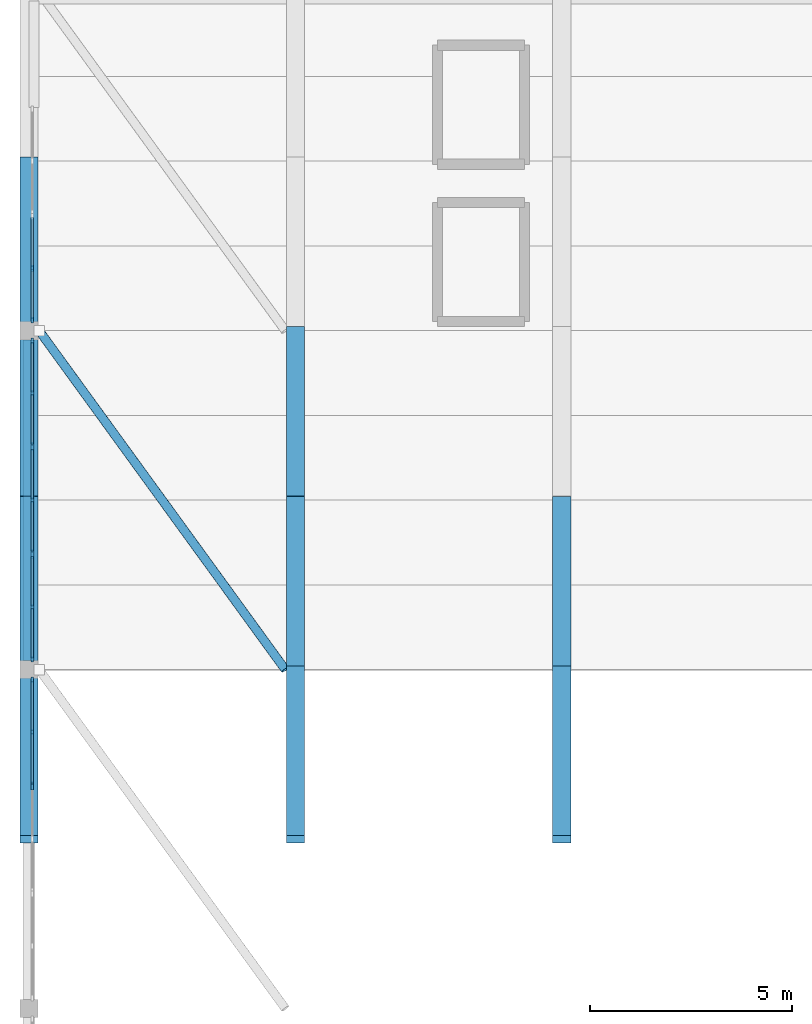
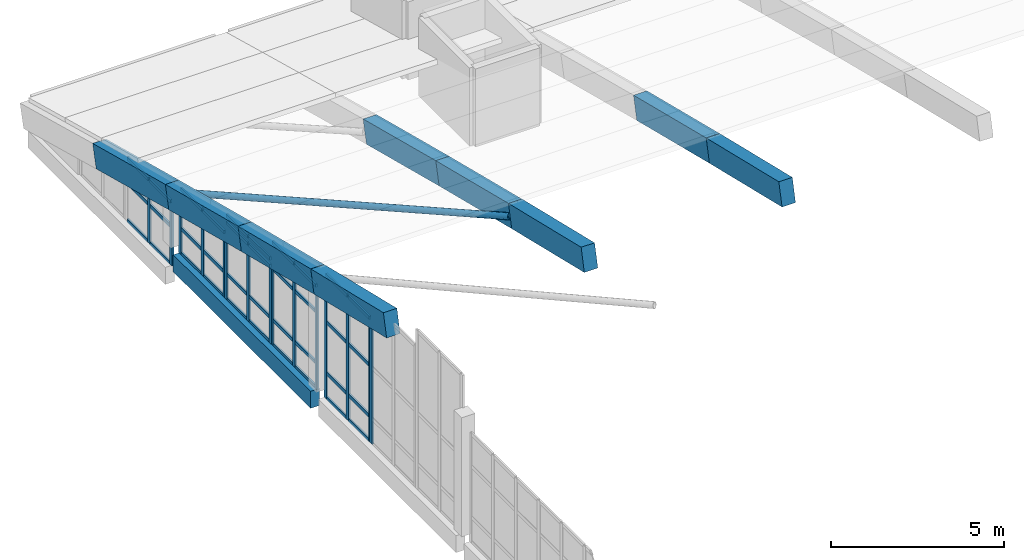
# One storey, part 12 of 78: 52 members, 10 beams, 6 elements without a shape of their own.
"""IFC4 building model written with IfcOpenShell, lengths in metres."""

import ifcopenshell
import ifcopenshell.guid

model = None  # the IFC model being written
_history = None  # IfcOwnerHistory: only IFC2X3 demands one
_inside = {}  # id of a spatial element -> (the spatial element, [elements in it])
_under = {}  # id of a project, library or spatial element -> (it, [spatial elements below it])
_declared = {}  # id of a project -> (the project, [libraries it declares])
_typed = {}  # id of a type object -> (the type object, [elements of that type])
_made_of = {}  # id of a material, layer set ... -> (it, [elements and type objects made of it])


def new_model(schema):
    """Start an empty IFC model of exactly this schema.

    Asked for "IFC4X3", IfcOpenShell would pick the latest addendum, in which some entities
    have other attributes; the version numbers below select the first issue.
    IFC2X3 requires an IfcOwnerHistory on every rooted entity: one is made here for all.
    """
    global model, _history
    if schema == "IFC4X3":
        model = ifcopenshell.file(schema_version=(4, 3, 0, 0))
    else:
        model = ifcopenshell.file(schema=schema)
    _inside.clear()
    _under.clear()
    _declared.clear()
    _typed.clear()
    _made_of.clear()
    _history = None
    if model.schema == "IFC2X3":
        org = make("IfcOrganization", Name="unknown")
        user = make(
            "IfcPersonAndOrganization",
            ThePerson=make("IfcPerson", FamilyName="unknown"),
            TheOrganization=org,
        )
        app = make(
            "IfcApplication",
            ApplicationDeveloper=org,
            Version="unknown",
            ApplicationFullName="unknown",
            ApplicationIdentifier="unknown",
        )
        _history = make(
            "IfcOwnerHistory",
            OwningUser=user,
            OwningApplication=app,
            ChangeAction="ADDED",
            CreationDate=0,
        )
    return model


def make(cls, **values):
    """One entity of the class cls with the attributes given. An attribute that is None is left unset."""
    return model.create_entity(
        cls, **{name: value for name, value in values.items() if value is not None}
    )


def rooted(cls, **values):
    """An entity with a GlobalId (a new one), such as an element, a storey or a relation."""
    return make(cls, GlobalId=ifcopenshell.guid.new(), OwnerHistory=_history, **values)


def si_unit(unit_type, name, prefix=None):
    """IfcSIUnit, for example si_unit("LENGTHUNIT", "METRE", prefix="MILLI")."""
    return make("IfcSIUnit", UnitType=unit_type, Prefix=prefix, Name=name)


def assignment(units):
    """IfcUnitAssignment: the units of a project."""
    return None if units is None else make("IfcUnitAssignment", Units=units)


def point(xyz):
    """IfcCartesianPoint."""
    return None if xyz is None else make("IfcCartesianPoint", Coordinates=xyz)


def direction(xyz):
    """IfcDirection."""
    return None if xyz is None else make("IfcDirection", DirectionRatios=xyz)


def frame(location, z_axis=None, x_axis=None):
    """IfcAxis2Placement3D, a coordinate frame: its origin and axes. An axis left out is left unset."""
    return make(
        "IfcAxis2Placement3D",
        Location=point(location),
        Axis=direction(z_axis),
        RefDirection=direction(x_axis),
    )


def frame_2d(location, x_axis=None):
    """IfcAxis2Placement2D, a coordinate frame in the plane: its origin and x axis."""
    return make(
        "IfcAxis2Placement2D", Location=point(location), RefDirection=direction(x_axis)
    )


def origin():
    """The frame at (0, 0, 0) with its axes left unset."""
    return frame((0.0, 0.0, 0.0))


def origin_2d():
    """The frame at (0, 0) in the plane with its x axis left unset."""
    return frame_2d((0.0, 0.0))


def place(relative_to, where):
    """IfcLocalPlacement: puts the frame where relative to a parent placement (None: the world)."""
    return make(
        "IfcLocalPlacement", PlacementRelTo=relative_to, RelativePlacement=where
    )


def context(
    kind, dimensions, precision=None, world=None, true_north=None, identifier=None
):
    """IfcGeometricRepresentationContext, for example the 3D "Model" context."""
    return make(
        "IfcGeometricRepresentationContext",
        ContextIdentifier=identifier,
        ContextType=kind,
        CoordinateSpaceDimension=dimensions,
        Precision=precision,
        WorldCoordinateSystem=world,
        TrueNorth=true_north,
    )


def subcontext(parent, identifier, kind, view, scale=None):
    """IfcGeometricRepresentationSubContext, for example "Body" below "Model"."""
    return make(
        "IfcGeometricRepresentationSubContext",
        ContextIdentifier=identifier,
        ContextType=kind,
        ParentContext=parent,
        TargetScale=scale,
        TargetView=view,
    )


def project(units=None, contexts=None):
    """IfcProject with its units and contexts."""
    return rooted(
        "IfcProject",
        Name="project",
        RepresentationContexts=contexts,
        UnitsInContext=assignment(units),
    )


def spatial(cls, under=None, at=None, **own):
    """A site, building, storey or space (cls), placed at a placement, below another one or the project."""
    s = rooted(cls, ObjectPlacement=at, **own)
    if under is not None:
        _under.setdefault(under.id(), (under, []))[1].append(s)
    return s


def profile(cls, at=None, kind="AREA", **sizes):
    """A parametric profile (cls). Its sizes go by their IFC names, for example OverallWidth=200.0."""
    return make(cls, ProfileType=kind, Position=at, **sizes)


def rectangle(**sizes):
    """IfcRectangleProfileDef."""
    return profile("IfcRectangleProfileDef", **sizes)


def hollow_circle(**sizes):
    """IfcCircleHollowProfileDef."""
    return profile("IfcCircleHollowProfileDef", **sizes)


def extrude(swept, where, along, depth):
    """IfcExtrudedAreaSolid: the profile swept, set in the frame where, extruded along a direction by depth."""
    return make(
        "IfcExtrudedAreaSolid",
        SweptArea=swept,
        Position=where,
        ExtrudedDirection=direction(along),
        Depth=depth,
    )


def shape(context_of_items, identifier, shape_type, items):
    """IfcShapeRepresentation: the items that make up one representation, for example the "Body"."""
    return make(
        "IfcShapeRepresentation",
        ContextOfItems=context_of_items,
        RepresentationIdentifier=identifier,
        RepresentationType=shape_type,
        Items=items,
    )


def material(Name=None, Category=None):
    """IfcMaterial."""
    return make("IfcMaterial", Name=Name, Category=Category)


def material_profile(
    of_material, cross_section, Name=None, Category=None, Priority=None
):
    """IfcMaterialProfile: a cross section and its material."""
    return make(
        "IfcMaterialProfile",
        Name=Name,
        Material=of_material,
        Profile=cross_section,
        Priority=Priority,
        Category=Category,
    )


def profile_set(profiles, Name=None, composite=None):
    """IfcMaterialProfileSet."""
    return make(
        "IfcMaterialProfileSet",
        Name=Name,
        MaterialProfiles=profiles,
        CompositeProfile=composite,
    )


def made_of(thing, what):
    """Note that an element or type object is made of a material, layer set ...; save() writes the relation."""
    if what is not None:
        _made_of.setdefault(what.id(), (what, []))[1].append(thing)
    return thing


def type_object(cls, material=None, **own):
    """A type object (cls), such as IfcWallType, which elements share."""
    return made_of(rooted(cls, **own), material)


def element(
    cls,
    number,
    at=None,
    inside=None,
    cuts=None,
    type_object=None,
    material=None,
    context=None,
    identifier="Body",
    shape_type=None,
    held_by="IfcProductDefinitionShape",
    body=None,
    shapes=None,
    **own,
):
    """One element of the class cls, such as IfcWall. Its Tag is "e" and its number.

    at: its placement. inside: the storey or other place that contains it. cuts: it is an
    opening in that element (IfcRelVoidsElement). A single representation is given by context,
    identifier, shape_type and body (its items); several are given by shapes. held_by: the class
    of the entity that holds the representations. save() writes the other relations.
    """
    e = rooted(cls, Tag="e%d" % number, ObjectPlacement=at, **own)
    if body is not None:
        shapes = [shape(context, identifier, shape_type, body)]
    if shapes is not None:
        e.Representation = make(held_by, Representations=shapes)
    if inside is not None:
        _inside.setdefault(inside.id(), (inside, []))[1].append(e)
    if cuts is not None:
        rooted(
            "IfcRelVoidsElement", RelatingBuildingElement=cuts, RelatedOpeningElement=e
        )
    if type_object is not None:
        _typed.setdefault(type_object.id(), (type_object, []))[1].append(e)
    return made_of(e, material)


def aggregate(whole, parts):
    """IfcRelAggregates: a whole, such as a stair, and the parts it consists of."""
    return rooted("IfcRelAggregates", RelatingObject=whole, RelatedObjects=parts)


def save(model, path):
    """Write the relations noted so far, then the file.

    IfcRelAggregates (storeys below a building ...), IfcRelContainedInSpatialStructure (elements
    in a storey), IfcRelDefinesByType, IfcRelAssociatesMaterial and IfcRelDeclares: one each for
    every whole, place, type object, material and project.
    """
    for whole, parts in _under.values():
        aggregate(whole, parts)
    for where, things in _inside.values():
        rooted(
            "IfcRelContainedInSpatialStructure",
            RelatedElements=things,
            RelatingStructure=where,
        )
    for kind, things in _typed.values():
        rooted("IfcRelDefinesByType", RelatedObjects=things, RelatingType=kind)
    for what, things in _made_of.values():
        rooted("IfcRelAssociatesMaterial", RelatedObjects=things, RelatingMaterial=what)
    for by, libraries in _declared.values():
        rooted("IfcRelDeclares", RelatingContext=by, RelatedDefinitions=libraries)
    model.write(path)


model = new_model("IFC4")

# Units and contexts
model_context = context("Model", 3, precision=1e-05, world=origin(), true_north=direction((0.0, 1.0)))
body_context = subcontext(model_context, "Body", "Model", "MODEL_VIEW")
ifc_project = project(units=[si_unit("LENGTHUNIT", "METRE"), si_unit("AREAUNIT", "SQUARE_METRE"), si_unit("VOLUMEUNIT", "CUBIC_METRE"), si_unit("PLANEANGLEUNIT", "RADIAN"), si_unit("MASSUNIT", "GRAM", prefix="KILO")], contexts=[model_context])

# Site, building, storey
site_placement = place(None, origin())
site = spatial("IfcSite", under=ifc_project, at=site_placement, CompositionType="ELEMENT")
building_placement = place(site_placement, origin())
building = spatial("IfcBuilding", under=site, at=building_placement, Name="Qaldarim Faculty of Natural and Applied Sciences", CompositionType="ELEMENT")
storey_placement = place(building_placement, frame((0.0, 0.0, 18.60009765625)))
storey = spatial("IfcBuildingStorey", under=building, at=storey_placement, Name="L04", CompositionType="ELEMENT", Elevation=18.60009765625)

# Curtain wall, member
ifc_material_1 = material(Name="Anodised aluminium AW-6063", Category="aluminium")
curtain_wall_type_1 = type_object("IfcCurtainWallType", Name="CurtainWallSystem-M1300", PredefinedType="USERDEFINED", material=ifc_material_1)
curtain_wall_1_placement = place(storey_placement, origin())
curtain_wall_1 = element("IfcCurtainWall", 1, at=curtain_wall_1_placement, inside=storey, type_object=curtain_wall_type_1, Name="Curtain wall CW-GABLE-L04-W-Y08-2", ObjectType="STICK CURTAIN WALL", PredefinedType="USERDEFINED")
ifc_material_profile_1 = material_profile(ifc_material_1, rectangle(XDim=0.06005859375, YDim=0.14990234375, at=origin_2d()), Name="ALU-M60x150")
ifc_profile_set_1 = profile_set([ifc_material_profile_1], Name="Anodised aluminium AW-6063")
member_type_1 = type_object("IfcMemberType", Name="Mullion-ALU60x150", PredefinedType="MULLION", material=ifc_profile_set_1)
member_1_placement = place(storey_placement, frame((0.080078125, 64.2900390625, -0.260009765625), z_axis=(0.0, 0.0, 1.0), x_axis=(1.0, 0.0, 0.0)))
member_1 = element("IfcMember", 2, at=member_1_placement, type_object=member_type_1, Name="Mullion 1 of CW-GABLE-L04-W-Y08-2", PredefinedType="MULLION", context=body_context, shape_type="SweptSolid", body=[
    extrude(rectangle(XDim=0.06005859375, YDim=0.14990234375, at=origin_2d()), origin(), (0.0, 0.0, 1.0), 5.0048828125),
])
aggregate(curtain_wall_1, [member_1])

# Curtain wall, members
curtain_wall_2_placement = place(storey_placement, origin())
curtain_wall_2 = element("IfcCurtainWall", 3, at=curtain_wall_2_placement, inside=storey, type_object=curtain_wall_type_1, Name="Curtain wall CW-GABLE-L04-W-Y08-3", ObjectType="STICK CURTAIN WALL", PredefinedType="USERDEFINED")
member_2_placement = place(storey_placement, frame((0.080078125, 66.93994140625, -0.260009765625), z_axis=(0.0, 0.0, 1.0), x_axis=(1.0, 0.0, 0.0)))
member_2 = element("IfcMember", 4, at=member_2_placement, type_object=member_type_1, Name="Mullion 1 of CW-GABLE-L04-W-Y08-3", PredefinedType="MULLION", context=body_context, shape_type="SweptSolid", body=[
    extrude(rectangle(XDim=0.06005859375, YDim=0.14990234375, at=origin_2d()), origin(), (0.0, 0.0, 1.0), 4.385009765625),
])
member_3_placement = place(storey_placement, frame((0.080078125, 65.652587890625, -0.260009765625), z_axis=(0.0, 0.0, 1.0), x_axis=(1.0, 0.0, 0.0)))
member_3 = element("IfcMember", 5, at=member_3_placement, type_object=member_type_1, Name="Mullion 2 of CW-GABLE-L04-W-Y08-3", PredefinedType="MULLION", context=body_context, shape_type="SweptSolid", body=[
    extrude(rectangle(XDim=0.06005859375, YDim=0.14990234375, at=origin_2d()), origin(), (0.0, 0.0, 1.0), 4.385009765625),
])
member_4_placement = place(storey_placement, frame((0.080078125, 64.364990234375, -0.260009765625), z_axis=(0.0, 0.0, 1.0), x_axis=(1.0, 0.0, 0.0)))
member_4 = element("IfcMember", 6, at=member_4_placement, type_object=member_type_1, Name="Mullion 3 of CW-GABLE-L04-W-Y08-3", PredefinedType="MULLION", context=body_context, shape_type="SweptSolid", body=[
    extrude(rectangle(XDim=0.06005859375, YDim=0.14990234375, at=origin_2d()), origin(), (0.0, 0.0, 1.0), 4.385009765625),
])

curtain_wall_3_placement = place(storey_placement, origin())
curtain_wall_3 = element("IfcCurtainWall", 7, at=curtain_wall_3_placement, inside=storey, type_object=curtain_wall_type_1, Name="Curtain wall CW-GABLE-L04-W-Y09-1", ObjectType="STICK CURTAIN WALL", PredefinedType="USERDEFINED")
member_5_placement = place(storey_placement, frame((0.080078125, 70.034912109375, -0.260009765625), z_axis=(0.0, 0.0, 1.0), x_axis=(1.0, 0.0, 0.0)))
member_5 = element("IfcMember", 8, at=member_5_placement, type_object=member_type_1, Name="Mullion 1 of CW-GABLE-L04-W-Y09-1", PredefinedType="MULLION", context=body_context, shape_type="SweptSolid", body=[
    extrude(rectangle(XDim=0.06005859375, YDim=0.14990234375, at=origin_2d()), origin(), (0.0, 0.0, 1.0), 3.64501953125),
])
member_6_placement = place(storey_placement, frame((0.080078125, 68.74755859375, -0.260009765625), z_axis=(0.0, 0.0, 1.0), x_axis=(1.0, 0.0, 0.0)))
member_6 = element("IfcMember", 9, at=member_6_placement, type_object=member_type_1, Name="Mullion 2 of CW-GABLE-L04-W-Y09-1", PredefinedType="MULLION", context=body_context, shape_type="SweptSolid", body=[
    extrude(rectangle(XDim=0.06005859375, YDim=0.14990234375, at=origin_2d()), origin(), (0.0, 0.0, 1.0), 3.64501953125),
])
member_7_placement = place(storey_placement, frame((0.080078125, 67.4599609375, -0.260009765625), z_axis=(0.0, 0.0, 1.0), x_axis=(1.0, 0.0, 0.0)))
member_7 = element("IfcMember", 10, at=member_7_placement, type_object=member_type_1, Name="Mullion 3 of CW-GABLE-L04-W-Y09-1", PredefinedType="MULLION", context=body_context, shape_type="SweptSolid", body=[
    extrude(rectangle(XDim=0.06005859375, YDim=0.14990234375, at=origin_2d()), origin(), (0.0, 0.0, 1.0), 3.64501953125),
])

curtain_wall_4_placement = place(storey_placement, origin())
curtain_wall_4 = element("IfcCurtainWall", 11, at=curtain_wall_4_placement, inside=storey, type_object=curtain_wall_type_1, Name="Curtain wall CW-GABLE-L04-W-Y09-2", ObjectType="STICK CURTAIN WALL", PredefinedType="USERDEFINED")
member_8_placement = place(storey_placement, frame((0.080078125, 72.68994140625, -0.260009765625), z_axis=(0.0, 0.0, 1.0), x_axis=(1.0, 0.0, 0.0)))
member_8 = element("IfcMember", 12, at=member_8_placement, type_object=member_type_1, Name="Mullion 1 of CW-GABLE-L04-W-Y09-2", PredefinedType="MULLION", context=body_context, shape_type="SweptSolid", body=[
    extrude(rectangle(XDim=0.06005859375, YDim=0.14990234375, at=origin_2d()), origin(), (0.0, 0.0, 1.0), 2.989990234375),
])
member_9_placement = place(storey_placement, frame((0.080078125, 71.402587890625, -0.260009765625), z_axis=(0.0, 0.0, 1.0), x_axis=(1.0, 0.0, 0.0)))
member_9 = element("IfcMember", 13, at=member_9_placement, type_object=member_type_1, Name="Mullion 2 of CW-GABLE-L04-W-Y09-2", PredefinedType="MULLION", context=body_context, shape_type="SweptSolid", body=[
    extrude(rectangle(XDim=0.06005859375, YDim=0.14990234375, at=origin_2d()), origin(), (0.0, 0.0, 1.0), 2.989990234375),
])
member_10_placement = place(storey_placement, frame((0.080078125, 70.114990234375, -0.260009765625), z_axis=(0.0, 0.0, 1.0), x_axis=(1.0, 0.0, 0.0)))
member_10 = element("IfcMember", 14, at=member_10_placement, type_object=member_type_1, Name="Mullion 3 of CW-GABLE-L04-W-Y09-2", PredefinedType="MULLION", context=body_context, shape_type="SweptSolid", body=[
    extrude(rectangle(XDim=0.06005859375, YDim=0.14990234375, at=origin_2d()), origin(), (0.0, 0.0, 1.0), 2.989990234375),
])

curtain_wall_5_placement = place(storey_placement, origin())
curtain_wall_5 = element("IfcCurtainWall", 15, at=curtain_wall_5_placement, inside=storey, type_object=curtain_wall_type_1, Name="Curtain wall CW-GABLE-L04-W-Y09-3", ObjectType="STICK CURTAIN WALL", PredefinedType="USERDEFINED")
member_11_placement = place(storey_placement, frame((0.080078125, 75.340087890625, -0.260009765625), z_axis=(0.0, 0.0, 1.0), x_axis=(1.0, 0.0, 0.0)))
member_11 = element("IfcMember", 16, at=member_11_placement, type_object=member_type_1, Name="Mullion 1 of CW-GABLE-L04-W-Y09-3", PredefinedType="MULLION", context=body_context, shape_type="SweptSolid", body=[
    extrude(rectangle(XDim=0.06005859375, YDim=0.14990234375, at=origin_2d()), origin(), (0.0, 0.0, 1.0), 2.31982421875),
])
member_12_placement = place(storey_placement, frame((0.080078125, 74.052490234375, -0.260009765625), z_axis=(0.0, 0.0, 1.0), x_axis=(1.0, 0.0, 0.0)))
member_12 = element("IfcMember", 17, at=member_12_placement, type_object=member_type_1, Name="Mullion 2 of CW-GABLE-L04-W-Y09-3", PredefinedType="MULLION", context=body_context, shape_type="SweptSolid", body=[
    extrude(rectangle(XDim=0.06005859375, YDim=0.14990234375, at=origin_2d()), origin(), (0.0, 0.0, 1.0), 2.31982421875),
])
member_13_placement = place(storey_placement, frame((0.080078125, 72.764892578125, -0.260009765625), z_axis=(0.0, 0.0, 1.0), x_axis=(1.0, 0.0, 0.0)))
member_13 = element("IfcMember", 18, at=member_13_placement, type_object=member_type_1, Name="Mullion 3 of CW-GABLE-L04-W-Y09-3", PredefinedType="MULLION", context=body_context, shape_type="SweptSolid", body=[
    extrude(rectangle(XDim=0.06005859375, YDim=0.14990234375, at=origin_2d()), origin(), (0.0, 0.0, 1.0), 2.31982421875),
])

curtain_wall_type_2 = type_object("IfcCurtainWallType", Name="CurtainWallSystem-M1500", PredefinedType="USERDEFINED", material=ifc_material_1)
curtain_wall_6_placement = place(storey_placement, origin())
curtain_wall_6 = element("IfcCurtainWall", 19, at=curtain_wall_6_placement, inside=storey, type_object=curtain_wall_type_2, Name="Curtain wall CW-GABLE-L04-W-Y10-1", ObjectType="STICK CURTAIN WALL", PredefinedType="USERDEFINED")
member_14_placement = place(storey_placement, frame((0.080078125, 77.1474609375, -0.97998046875), z_axis=(0.0, 0.0, 1.0), x_axis=(1.0, 0.0, 0.0)))
member_14 = element("IfcMember", 20, at=member_14_placement, type_object=member_type_1, Name="Mullion 2 of CW-GABLE-L04-W-Y10-1", PredefinedType="MULLION", context=body_context, shape_type="SweptSolid", body=[
    extrude(rectangle(XDim=0.06005859375, YDim=0.14990234375, at=origin_2d()), origin(), (0.0, 0.0, 1.0), 2.244873046875),
])
member_15_placement = place(storey_placement, frame((0.080078125, 75.860107421875, -0.97998046875), z_axis=(0.0, 0.0, 1.0), x_axis=(1.0, 0.0, 0.0)))
member_15 = element("IfcMember", 21, at=member_15_placement, type_object=member_type_1, Name="Mullion 3 of CW-GABLE-L04-W-Y10-1", PredefinedType="MULLION", context=body_context, shape_type="SweptSolid", body=[
    extrude(rectangle(XDim=0.06005859375, YDim=0.14990234375, at=origin_2d()), origin(), (0.0, 0.0, 1.0), 2.244873046875),
])

# Beams
ifc_material_2 = material(Name="Concrete C50/60", Category="concrete")
ifc_material_profile_2 = material_profile(ifc_material_2, rectangle(XDim=0.449951171875, YDim=0.800048828125, at=origin_2d()), Name="RC-RIB450x800")
ifc_profile_set_2 = profile_set([ifc_material_profile_2], Name="Concrete C50/60")
beam_type_1 = type_object("IfcBeamType", Name="ShellArchRib-RC450x800", PredefinedType="BEAM", material=ifc_profile_set_2)
beam_1_placement = place(storey_placement, frame((0.0, 79.800048828125, 0.56494140625), z_axis=(0.0, -0.967379770431, 0.253330574074), x_axis=(1.0, 0.0, 0.0)))
element("IfcBeam", 22, at=beam_1_placement, inside=storey, type_object=beam_type_1, Name="Shell arch rib 1 N segment 2", PredefinedType="BEAM", context=body_context, shape_type="SweptSolid", body=[
    extrude(rectangle(XDim=0.449951171875, YDim=0.800048828125, at=origin_2d()), origin(), (0.0, 0.0, 1.0), 4.341552734375),
])
beam_2_placement = place(storey_placement, frame((0.0, 75.60009765625, 1.664794921875), z_axis=(0.0, -0.968762445558, 0.247990572555), x_axis=(1.0, 0.0, 0.0)))
element("IfcBeam", 23, at=beam_2_placement, inside=storey, type_object=beam_type_1, Name="Shell arch rib 1 N segment 3", PredefinedType="BEAM", context=body_context, shape_type="SweptSolid", body=[
    extrude(rectangle(XDim=0.449951171875, YDim=0.800048828125, at=origin_2d()), origin(), (0.0, 0.0, 1.0), 4.335693359375),
])
beam_3_placement = place(storey_placement, frame((0.0, 71.39990234375, 2.739990234375), z_axis=(0.0, -0.970694267703, 0.24031778679), x_axis=(1.0, 0.0, 0.0)))
element("IfcBeam", 24, at=beam_3_placement, inside=storey, type_object=beam_type_1, Name="Shell arch rib 1 N segment 4", PredefinedType="BEAM", context=body_context, shape_type="SweptSolid", body=[
    extrude(rectangle(XDim=0.449951171875, YDim=0.800048828125, at=origin_2d()), origin(), (0.0, 0.0, 1.0), 4.32666015625),
])
beam_4_placement = place(storey_placement, frame((0.0, 67.199951171875, 3.77978515625), z_axis=(0.0, -0.972805607937, 0.231623075633), x_axis=(1.0, 0.0, 0.0)))
element("IfcBeam", 25, at=beam_4_placement, inside=storey, type_object=beam_type_1, Name="Shell arch rib 1 N segment 5", PredefinedType="BEAM", context=body_context, shape_type="SweptSolid", body=[
    extrude(rectangle(XDim=0.449951171875, YDim=0.800048828125, at=origin_2d()), origin(), (0.0, 0.0, 1.0), 4.3173828125),
])
beam_5_placement = place(storey_placement, frame((6.60009765625, 75.60009765625, 1.664794921875), z_axis=(0.0, -0.968762445558, 0.247990572555), x_axis=(1.0, 0.0, 0.0)))
element("IfcBeam", 26, at=beam_5_placement, inside=storey, type_object=beam_type_1, Name="Shell arch rib 2 N segment 3", PredefinedType="BEAM", context=body_context, shape_type="SweptSolid", body=[
    extrude(rectangle(XDim=0.449951171875, YDim=0.800048828125, at=origin_2d()), origin(), (0.0, 0.0, 1.0), 4.335693359375),
])
beam_6_placement = place(storey_placement, frame((6.60009765625, 71.39990234375, 2.739990234375), z_axis=(0.0, -0.970694267703, 0.24031778679), x_axis=(1.0, 0.0, 0.0)))
element("IfcBeam", 27, at=beam_6_placement, inside=storey, type_object=beam_type_1, Name="Shell arch rib 2 N segment 4", PredefinedType="BEAM", context=body_context, shape_type="SweptSolid", body=[
    extrude(rectangle(XDim=0.449951171875, YDim=0.800048828125, at=origin_2d()), origin(), (0.0, 0.0, 1.0), 4.32666015625),
])
beam_7_placement = place(storey_placement, frame((6.60009765625, 67.199951171875, 3.77978515625), z_axis=(0.0, -0.972805607937, 0.231623075633), x_axis=(1.0, 0.0, 0.0)))
element("IfcBeam", 28, at=beam_7_placement, inside=storey, type_object=beam_type_1, Name="Shell arch rib 2 N segment 5", PredefinedType="BEAM", context=body_context, shape_type="SweptSolid", body=[
    extrude(rectangle(XDim=0.449951171875, YDim=0.800048828125, at=origin_2d()), origin(), (0.0, 0.0, 1.0), 4.3173828125),
])
beam_8_placement = place(storey_placement, frame((13.199951171875, 71.39990234375, 2.739990234375), z_axis=(0.0, -0.970694267703, 0.24031778679), x_axis=(1.0, 0.0, 0.0)))
element("IfcBeam", 29, at=beam_8_placement, inside=storey, type_object=beam_type_1, Name="Shell arch rib 3 N segment 4", PredefinedType="BEAM", context=body_context, shape_type="SweptSolid", body=[
    extrude(rectangle(XDim=0.449951171875, YDim=0.800048828125, at=origin_2d()), origin(), (0.0, 0.0, 1.0), 4.32666015625),
])
beam_9_placement = place(storey_placement, frame((13.199951171875, 67.199951171875, 3.77978515625), z_axis=(0.0, -0.972805607937, 0.231623075633), x_axis=(1.0, 0.0, 0.0)))
element("IfcBeam", 30, at=beam_9_placement, inside=storey, type_object=beam_type_1, Name="Shell arch rib 3 N segment 5", PredefinedType="BEAM", context=body_context, shape_type="SweptSolid", body=[
    extrude(rectangle(XDim=0.449951171875, YDim=0.800048828125, at=origin_2d()), origin(), (0.0, 0.0, 1.0), 4.3173828125),
])

# Member
ifc_material_3 = material(Name="Structural steel S355", Category="steel")
ifc_material_profile_3 = material_profile(ifc_material_3, hollow_circle(Radius=0.109619140625, WallThickness=0.012451171875, at=origin_2d()), Name="CHS 219.1x12.5")
ifc_profile_set_3 = profile_set([ifc_material_profile_3], Name="Structural steel S355")
member_type_2 = type_object("IfcMemberType", Name="ShellStrut-CHS219x12-5", PredefinedType="STRUT", material=ifc_profile_set_3)
member_16_placement = place(storey_placement, frame((0.25, 75.60009765625, 1.664794921875), z_axis=(0.575770929289, -0.792866019532, 0.19962793406), x_axis=(0.809152832909, 0.587598241144, 0.0)))
element("IfcMember", 31, at=member_16_placement, inside=storey, type_object=member_type_2, Name="Shell wind strut bay 1 N2", PredefinedType="STRUT", context=body_context, shape_type="SweptSolid", body=[
    extrude(hollow_circle(Radius=0.109619140625, WallThickness=0.012451171875, at=origin_2d()), origin(), (0.0, 0.0, 1.0), 10.5947265625),
])

# Beam
ifc_material_4 = material(Name="Precast concrete C40/50", Category="concrete")
ifc_material_profile_4 = material_profile(ifc_material_4, rectangle(XDim=0.300048828125, YDim=0.60009765625, at=origin_2d()), Name="RC-SP300x600")
ifc_profile_set_4 = profile_set([ifc_material_profile_4], Name="Precast concrete C40/50")
beam_type_2 = type_object("IfcBeamType", Name="SpandrelBeam-RC300x600", PredefinedType="SPANDREL", material=ifc_profile_set_4)
beam_10_placement = place(storey_placement, frame((0.0, 67.425048828125, -0.56005859375), z_axis=(0.0, 1.0, 0.0), x_axis=(-1.0, 0.0, 0.0)))
element("IfcBeam", 32, at=beam_10_placement, inside=storey, type_object=beam_type_2, Name="Shell gable tie beam L03 X01/Y09-Y10", PredefinedType="SPANDREL", context=body_context, shape_type="SweptSolid", body=[
    extrude(rectangle(XDim=0.300048828125, YDim=0.60009765625, at=origin_2d()), origin(), (0.0, 0.0, 1.0), 7.949951171875),
])

# Member
ifc_material_profile_5 = material_profile(ifc_material_1, rectangle(XDim=0.06005859375, YDim=0.1201171875, at=origin_2d()), Name="ALU-T60x120")
ifc_profile_set_5 = profile_set([ifc_material_profile_5], Name="Anodised aluminium AW-6063")
member_type_3 = type_object("IfcMemberType", Name="Transom-ALU60x120", PredefinedType="USERDEFINED", material=ifc_profile_set_5)
member_17_placement = place(storey_placement, frame((0.080078125, 66.909912109375, -0.22998046875), z_axis=(0.0, -1.0, 0.0), x_axis=(1.0, 0.0, 0.0)))
member_17 = element("IfcMember", 33, at=member_17_placement, type_object=member_type_3, Name="Transom 1-1 of CW-GABLE-L04-W-Y08-3", ObjectType="TRANSOM", PredefinedType="USERDEFINED", context=body_context, shape_type="SweptSolid", body=[
    extrude(rectangle(XDim=0.06005859375, YDim=0.1201171875, at=origin_2d()), origin(), (0.0, 0.0, 1.0), 1.227294921875),
])

member_18_placement = place(storey_placement, frame((0.080078125, 66.909912109375, 0.639892578125), z_axis=(0.0, -1.0, 0.0), x_axis=(1.0, 0.0, 0.0)))
member_18 = element("IfcMember", 34, at=member_18_placement, type_object=member_type_3, Name="Transom 1-2 of CW-GABLE-L04-W-Y08-3", ObjectType="TRANSOM", PredefinedType="USERDEFINED", context=body_context, shape_type="SweptSolid", body=[
    extrude(rectangle(XDim=0.06005859375, YDim=0.1201171875, at=origin_2d()), origin(), (0.0, 0.0, 1.0), 1.227294921875),
])

member_19_placement = place(storey_placement, frame((0.080078125, 66.909912109375, 2.43994140625), z_axis=(0.0, -1.0, 0.0), x_axis=(1.0, 0.0, 0.0)))
member_19 = element("IfcMember", 35, at=member_19_placement, type_object=member_type_3, Name="Transom 1-3 of CW-GABLE-L04-W-Y08-3", ObjectType="TRANSOM", PredefinedType="USERDEFINED", context=body_context, shape_type="SweptSolid", body=[
    extrude(rectangle(XDim=0.06005859375, YDim=0.1201171875, at=origin_2d()), origin(), (0.0, 0.0, 1.0), 1.227294921875),
])

member_20_placement = place(storey_placement, frame((0.080078125, 66.909912109375, 4.094970703125), z_axis=(0.0, -1.0, 0.0), x_axis=(1.0, 0.0, 0.0)))
member_20 = element("IfcMember", 36, at=member_20_placement, type_object=member_type_3, Name="Transom 1-4 of CW-GABLE-L04-W-Y08-3", ObjectType="TRANSOM", PredefinedType="USERDEFINED", context=body_context, shape_type="SweptSolid", body=[
    extrude(rectangle(XDim=0.06005859375, YDim=0.1201171875, at=origin_2d()), origin(), (0.0, 0.0, 1.0), 1.227294921875),
])

member_21_placement = place(storey_placement, frame((0.080078125, 65.62255859375, -0.22998046875), z_axis=(0.0, -1.0, 0.0), x_axis=(1.0, 0.0, 0.0)))
member_21 = element("IfcMember", 37, at=member_21_placement, type_object=member_type_3, Name="Transom 2-1 of CW-GABLE-L04-W-Y08-3", ObjectType="TRANSOM", PredefinedType="USERDEFINED", context=body_context, shape_type="SweptSolid", body=[
    extrude(rectangle(XDim=0.06005859375, YDim=0.1201171875, at=origin_2d()), origin(), (0.0, 0.0, 1.0), 1.2275390625),
])

member_22_placement = place(storey_placement, frame((0.080078125, 65.62255859375, 0.639892578125), z_axis=(0.0, -1.0, 0.0), x_axis=(1.0, 0.0, 0.0)))
member_22 = element("IfcMember", 38, at=member_22_placement, type_object=member_type_3, Name="Transom 2-2 of CW-GABLE-L04-W-Y08-3", ObjectType="TRANSOM", PredefinedType="USERDEFINED", context=body_context, shape_type="SweptSolid", body=[
    extrude(rectangle(XDim=0.06005859375, YDim=0.1201171875, at=origin_2d()), origin(), (0.0, 0.0, 1.0), 1.2275390625),
])

member_23_placement = place(storey_placement, frame((0.080078125, 65.62255859375, 2.43994140625), z_axis=(0.0, -1.0, 0.0), x_axis=(1.0, 0.0, 0.0)))
member_23 = element("IfcMember", 39, at=member_23_placement, type_object=member_type_3, Name="Transom 2-3 of CW-GABLE-L04-W-Y08-3", ObjectType="TRANSOM", PredefinedType="USERDEFINED", context=body_context, shape_type="SweptSolid", body=[
    extrude(rectangle(XDim=0.06005859375, YDim=0.1201171875, at=origin_2d()), origin(), (0.0, 0.0, 1.0), 1.2275390625),
])

member_24_placement = place(storey_placement, frame((0.080078125, 65.62255859375, 4.094970703125), z_axis=(0.0, -1.0, 0.0), x_axis=(1.0, 0.0, 0.0)))
member_24 = element("IfcMember", 40, at=member_24_placement, type_object=member_type_3, Name="Transom 2-4 of CW-GABLE-L04-W-Y08-3", ObjectType="TRANSOM", PredefinedType="USERDEFINED", context=body_context, shape_type="SweptSolid", body=[
    extrude(rectangle(XDim=0.06005859375, YDim=0.1201171875, at=origin_2d()), origin(), (0.0, 0.0, 1.0), 1.2275390625),
])

aggregate(curtain_wall_2, [member_2, member_3, member_4, member_17, member_18, member_19, member_20, member_21, member_22, member_23, member_24])

member_25_placement = place(storey_placement, frame((0.080078125, 70.0048828125, -0.22998046875), z_axis=(0.0, -1.0, 0.0), x_axis=(1.0, 0.0, 0.0)))
member_25 = element("IfcMember", 41, at=member_25_placement, type_object=member_type_3, Name="Transom 1-1 of CW-GABLE-L04-W-Y09-1", ObjectType="TRANSOM", PredefinedType="USERDEFINED", context=body_context, shape_type="SweptSolid", body=[
    extrude(rectangle(XDim=0.06005859375, YDim=0.1201171875, at=origin_2d()), origin(), (0.0, 0.0, 1.0), 1.227294921875),
])

member_26_placement = place(storey_placement, frame((0.080078125, 70.0048828125, 0.639892578125), z_axis=(0.0, -1.0, 0.0), x_axis=(1.0, 0.0, 0.0)))
member_26 = element("IfcMember", 42, at=member_26_placement, type_object=member_type_3, Name="Transom 1-2 of CW-GABLE-L04-W-Y09-1", ObjectType="TRANSOM", PredefinedType="USERDEFINED", context=body_context, shape_type="SweptSolid", body=[
    extrude(rectangle(XDim=0.06005859375, YDim=0.1201171875, at=origin_2d()), origin(), (0.0, 0.0, 1.0), 1.227294921875),
])

member_27_placement = place(storey_placement, frame((0.080078125, 70.0048828125, 2.43994140625), z_axis=(0.0, -1.0, 0.0), x_axis=(1.0, 0.0, 0.0)))
member_27 = element("IfcMember", 43, at=member_27_placement, type_object=member_type_3, Name="Transom 1-3 of CW-GABLE-L04-W-Y09-1", ObjectType="TRANSOM", PredefinedType="USERDEFINED", context=body_context, shape_type="SweptSolid", body=[
    extrude(rectangle(XDim=0.06005859375, YDim=0.1201171875, at=origin_2d()), origin(), (0.0, 0.0, 1.0), 1.227294921875),
])

member_28_placement = place(storey_placement, frame((0.080078125, 70.0048828125, 3.35498046875), z_axis=(0.0, -1.0, 0.0), x_axis=(1.0, 0.0, 0.0)))
member_28 = element("IfcMember", 44, at=member_28_placement, type_object=member_type_3, Name="Transom 1-4 of CW-GABLE-L04-W-Y09-1", ObjectType="TRANSOM", PredefinedType="USERDEFINED", context=body_context, shape_type="SweptSolid", body=[
    extrude(rectangle(XDim=0.06005859375, YDim=0.1201171875, at=origin_2d()), origin(), (0.0, 0.0, 1.0), 1.227294921875),
])

member_29_placement = place(storey_placement, frame((0.080078125, 68.717529296875, -0.22998046875), z_axis=(0.0, -1.0, 0.0), x_axis=(1.0, 0.0, 0.0)))
member_29 = element("IfcMember", 45, at=member_29_placement, type_object=member_type_3, Name="Transom 2-1 of CW-GABLE-L04-W-Y09-1", ObjectType="TRANSOM", PredefinedType="USERDEFINED", context=body_context, shape_type="SweptSolid", body=[
    extrude(rectangle(XDim=0.06005859375, YDim=0.1201171875, at=origin_2d()), origin(), (0.0, 0.0, 1.0), 1.2275390625),
])

member_30_placement = place(storey_placement, frame((0.080078125, 68.717529296875, 0.639892578125), z_axis=(0.0, -1.0, 0.0), x_axis=(1.0, 0.0, 0.0)))
member_30 = element("IfcMember", 46, at=member_30_placement, type_object=member_type_3, Name="Transom 2-2 of CW-GABLE-L04-W-Y09-1", ObjectType="TRANSOM", PredefinedType="USERDEFINED", context=body_context, shape_type="SweptSolid", body=[
    extrude(rectangle(XDim=0.06005859375, YDim=0.1201171875, at=origin_2d()), origin(), (0.0, 0.0, 1.0), 1.2275390625),
])

member_31_placement = place(storey_placement, frame((0.080078125, 68.717529296875, 2.43994140625), z_axis=(0.0, -1.0, 0.0), x_axis=(1.0, 0.0, 0.0)))
member_31 = element("IfcMember", 47, at=member_31_placement, type_object=member_type_3, Name="Transom 2-3 of CW-GABLE-L04-W-Y09-1", ObjectType="TRANSOM", PredefinedType="USERDEFINED", context=body_context, shape_type="SweptSolid", body=[
    extrude(rectangle(XDim=0.06005859375, YDim=0.1201171875, at=origin_2d()), origin(), (0.0, 0.0, 1.0), 1.2275390625),
])

member_32_placement = place(storey_placement, frame((0.080078125, 68.717529296875, 3.35498046875), z_axis=(0.0, -1.0, 0.0), x_axis=(1.0, 0.0, 0.0)))
member_32 = element("IfcMember", 48, at=member_32_placement, type_object=member_type_3, Name="Transom 2-4 of CW-GABLE-L04-W-Y09-1", ObjectType="TRANSOM", PredefinedType="USERDEFINED", context=body_context, shape_type="SweptSolid", body=[
    extrude(rectangle(XDim=0.06005859375, YDim=0.1201171875, at=origin_2d()), origin(), (0.0, 0.0, 1.0), 1.2275390625),
])

aggregate(curtain_wall_3, [member_5, member_6, member_7, member_25, member_26, member_27, member_28, member_29, member_30, member_31, member_32])

member_33_placement = place(storey_placement, frame((0.080078125, 72.659912109375, -0.22998046875), z_axis=(0.0, -1.0, 0.0), x_axis=(1.0, 0.0, 0.0)))
member_33 = element("IfcMember", 49, at=member_33_placement, type_object=member_type_3, Name="Transom 1-1 of CW-GABLE-L04-W-Y09-2", ObjectType="TRANSOM", PredefinedType="USERDEFINED", context=body_context, shape_type="SweptSolid", body=[
    extrude(rectangle(XDim=0.06005859375, YDim=0.1201171875, at=origin_2d()), origin(), (0.0, 0.0, 1.0), 1.227294921875),
])

member_34_placement = place(storey_placement, frame((0.080078125, 72.659912109375, 0.639892578125), z_axis=(0.0, -1.0, 0.0), x_axis=(1.0, 0.0, 0.0)))
member_34 = element("IfcMember", 50, at=member_34_placement, type_object=member_type_3, Name="Transom 1-2 of CW-GABLE-L04-W-Y09-2", ObjectType="TRANSOM", PredefinedType="USERDEFINED", context=body_context, shape_type="SweptSolid", body=[
    extrude(rectangle(XDim=0.06005859375, YDim=0.1201171875, at=origin_2d()), origin(), (0.0, 0.0, 1.0), 1.227294921875),
])

member_35_placement = place(storey_placement, frame((0.080078125, 72.659912109375, 2.43994140625), z_axis=(0.0, -1.0, 0.0), x_axis=(1.0, 0.0, 0.0)))
member_35 = element("IfcMember", 51, at=member_35_placement, type_object=member_type_3, Name="Transom 1-3 of CW-GABLE-L04-W-Y09-2", ObjectType="TRANSOM", PredefinedType="USERDEFINED", context=body_context, shape_type="SweptSolid", body=[
    extrude(rectangle(XDim=0.06005859375, YDim=0.1201171875, at=origin_2d()), origin(), (0.0, 0.0, 1.0), 1.227294921875),
])

member_36_placement = place(storey_placement, frame((0.080078125, 72.659912109375, 2.699951171875), z_axis=(0.0, -1.0, 0.0), x_axis=(1.0, 0.0, 0.0)))
member_36 = element("IfcMember", 52, at=member_36_placement, type_object=member_type_3, Name="Transom 1-4 of CW-GABLE-L04-W-Y09-2", ObjectType="TRANSOM", PredefinedType="USERDEFINED", context=body_context, shape_type="SweptSolid", body=[
    extrude(rectangle(XDim=0.06005859375, YDim=0.1201171875, at=origin_2d()), origin(), (0.0, 0.0, 1.0), 1.227294921875),
])

member_37_placement = place(storey_placement, frame((0.080078125, 71.37255859375, -0.22998046875), z_axis=(0.0, -1.0, 0.0), x_axis=(1.0, 0.0, 0.0)))
member_37 = element("IfcMember", 53, at=member_37_placement, type_object=member_type_3, Name="Transom 2-1 of CW-GABLE-L04-W-Y09-2", ObjectType="TRANSOM", PredefinedType="USERDEFINED", context=body_context, shape_type="SweptSolid", body=[
    extrude(rectangle(XDim=0.06005859375, YDim=0.1201171875, at=origin_2d()), origin(), (0.0, 0.0, 1.0), 1.2275390625),
])

member_38_placement = place(storey_placement, frame((0.080078125, 71.37255859375, 0.639892578125), z_axis=(0.0, -1.0, 0.0), x_axis=(1.0, 0.0, 0.0)))
member_38 = element("IfcMember", 54, at=member_38_placement, type_object=member_type_3, Name="Transom 2-2 of CW-GABLE-L04-W-Y09-2", ObjectType="TRANSOM", PredefinedType="USERDEFINED", context=body_context, shape_type="SweptSolid", body=[
    extrude(rectangle(XDim=0.06005859375, YDim=0.1201171875, at=origin_2d()), origin(), (0.0, 0.0, 1.0), 1.2275390625),
])

member_39_placement = place(storey_placement, frame((0.080078125, 71.37255859375, 2.43994140625), z_axis=(0.0, -1.0, 0.0), x_axis=(1.0, 0.0, 0.0)))
member_39 = element("IfcMember", 55, at=member_39_placement, type_object=member_type_3, Name="Transom 2-3 of CW-GABLE-L04-W-Y09-2", ObjectType="TRANSOM", PredefinedType="USERDEFINED", context=body_context, shape_type="SweptSolid", body=[
    extrude(rectangle(XDim=0.06005859375, YDim=0.1201171875, at=origin_2d()), origin(), (0.0, 0.0, 1.0), 1.2275390625),
])

member_40_placement = place(storey_placement, frame((0.080078125, 71.37255859375, 2.699951171875), z_axis=(0.0, -1.0, 0.0), x_axis=(1.0, 0.0, 0.0)))
member_40 = element("IfcMember", 56, at=member_40_placement, type_object=member_type_3, Name="Transom 2-4 of CW-GABLE-L04-W-Y09-2", ObjectType="TRANSOM", PredefinedType="USERDEFINED", context=body_context, shape_type="SweptSolid", body=[
    extrude(rectangle(XDim=0.06005859375, YDim=0.1201171875, at=origin_2d()), origin(), (0.0, 0.0, 1.0), 1.2275390625),
])

aggregate(curtain_wall_4, [member_8, member_9, member_10, member_33, member_34, member_35, member_36, member_37, member_38, member_39, member_40])

member_41_placement = place(storey_placement, frame((0.080078125, 75.31005859375, -0.22998046875), z_axis=(0.0, -1.0, 0.0), x_axis=(1.0, 0.0, 0.0)))
member_41 = element("IfcMember", 57, at=member_41_placement, type_object=member_type_3, Name="Transom 1-1 of CW-GABLE-L04-W-Y09-3", ObjectType="TRANSOM", PredefinedType="USERDEFINED", context=body_context, shape_type="SweptSolid", body=[
    extrude(rectangle(XDim=0.06005859375, YDim=0.1201171875, at=origin_2d()), origin(), (0.0, 0.0, 1.0), 1.2275390625),
])

member_42_placement = place(storey_placement, frame((0.080078125, 75.31005859375, 0.639892578125), z_axis=(0.0, -1.0, 0.0), x_axis=(1.0, 0.0, 0.0)))
member_42 = element("IfcMember", 58, at=member_42_placement, type_object=member_type_3, Name="Transom 1-2 of CW-GABLE-L04-W-Y09-3", ObjectType="TRANSOM", PredefinedType="USERDEFINED", context=body_context, shape_type="SweptSolid", body=[
    extrude(rectangle(XDim=0.06005859375, YDim=0.1201171875, at=origin_2d()), origin(), (0.0, 0.0, 1.0), 1.2275390625),
])

member_43_placement = place(storey_placement, frame((0.080078125, 75.31005859375, 2.02978515625), z_axis=(0.0, -1.0, 0.0), x_axis=(1.0, 0.0, 0.0)))
member_43 = element("IfcMember", 59, at=member_43_placement, type_object=member_type_3, Name="Transom 1-3 of CW-GABLE-L04-W-Y09-3", ObjectType="TRANSOM", PredefinedType="USERDEFINED", context=body_context, shape_type="SweptSolid", body=[
    extrude(rectangle(XDim=0.06005859375, YDim=0.1201171875, at=origin_2d()), origin(), (0.0, 0.0, 1.0), 1.2275390625),
])

member_44_placement = place(storey_placement, frame((0.080078125, 74.0224609375, -0.22998046875), z_axis=(0.0, -1.0, 0.0), x_axis=(1.0, 0.0, 0.0)))
member_44 = element("IfcMember", 60, at=member_44_placement, type_object=member_type_3, Name="Transom 2-1 of CW-GABLE-L04-W-Y09-3", ObjectType="TRANSOM", PredefinedType="USERDEFINED", context=body_context, shape_type="SweptSolid", body=[
    extrude(rectangle(XDim=0.06005859375, YDim=0.1201171875, at=origin_2d()), origin(), (0.0, 0.0, 1.0), 1.2275390625),
])

member_45_placement = place(storey_placement, frame((0.080078125, 74.0224609375, 0.639892578125), z_axis=(0.0, -1.0, 0.0), x_axis=(1.0, 0.0, 0.0)))
member_45 = element("IfcMember", 61, at=member_45_placement, type_object=member_type_3, Name="Transom 2-2 of CW-GABLE-L04-W-Y09-3", ObjectType="TRANSOM", PredefinedType="USERDEFINED", context=body_context, shape_type="SweptSolid", body=[
    extrude(rectangle(XDim=0.06005859375, YDim=0.1201171875, at=origin_2d()), origin(), (0.0, 0.0, 1.0), 1.2275390625),
])

member_46_placement = place(storey_placement, frame((0.080078125, 74.0224609375, 2.02978515625), z_axis=(0.0, -1.0, 0.0), x_axis=(1.0, 0.0, 0.0)))
member_46 = element("IfcMember", 62, at=member_46_placement, type_object=member_type_3, Name="Transom 2-3 of CW-GABLE-L04-W-Y09-3", ObjectType="TRANSOM", PredefinedType="USERDEFINED", context=body_context, shape_type="SweptSolid", body=[
    extrude(rectangle(XDim=0.06005859375, YDim=0.1201171875, at=origin_2d()), origin(), (0.0, 0.0, 1.0), 1.2275390625),
])

aggregate(curtain_wall_5, [member_11, member_12, member_13, member_41, member_42, member_43, member_44, member_45, member_46])

member_47_placement = place(storey_placement, frame((0.080078125, 78.405029296875, -0.9501953125), z_axis=(0.0, -1.0, 0.0), x_axis=(1.0, 0.0, 0.0)))
member_47 = element("IfcMember", 63, at=member_47_placement, type_object=member_type_3, Name="Transom 1-1 of CW-GABLE-L04-W-Y10-1", ObjectType="TRANSOM", PredefinedType="USERDEFINED", context=body_context, shape_type="SweptSolid", body=[
    extrude(rectangle(XDim=0.06005859375, YDim=0.1201171875, at=origin_2d()), origin(), (0.0, 0.0, 1.0), 1.2275390625),
])

member_48_placement = place(storey_placement, frame((0.080078125, 78.405029296875, 0.369873046875), z_axis=(0.0, -1.0, 0.0), x_axis=(1.0, 0.0, 0.0)))
member_48 = element("IfcMember", 64, at=member_48_placement, type_object=member_type_3, Name="Transom 1-2 of CW-GABLE-L04-W-Y10-1", ObjectType="TRANSOM", PredefinedType="USERDEFINED", context=body_context, shape_type="SweptSolid", body=[
    extrude(rectangle(XDim=0.06005859375, YDim=0.1201171875, at=origin_2d()), origin(), (0.0, 0.0, 1.0), 1.2275390625),
])

member_49_placement = place(storey_placement, frame((0.080078125, 78.405029296875, 1.23486328125), z_axis=(0.0, -1.0, 0.0), x_axis=(1.0, 0.0, 0.0)))
member_49 = element("IfcMember", 65, at=member_49_placement, type_object=member_type_3, Name="Transom 1-3 of CW-GABLE-L04-W-Y10-1", ObjectType="TRANSOM", PredefinedType="USERDEFINED", context=body_context, shape_type="SweptSolid", body=[
    extrude(rectangle(XDim=0.06005859375, YDim=0.1201171875, at=origin_2d()), origin(), (0.0, 0.0, 1.0), 1.2275390625),
])

member_50_placement = place(storey_placement, frame((0.080078125, 77.117431640625, -0.9501953125), z_axis=(0.0, -1.0, 0.0), x_axis=(1.0, 0.0, 0.0)))
member_50 = element("IfcMember", 66, at=member_50_placement, type_object=member_type_3, Name="Transom 2-1 of CW-GABLE-L04-W-Y10-1", ObjectType="TRANSOM", PredefinedType="USERDEFINED", context=body_context, shape_type="SweptSolid", body=[
    extrude(rectangle(XDim=0.06005859375, YDim=0.1201171875, at=origin_2d()), origin(), (0.0, 0.0, 1.0), 1.2275390625),
])

member_51_placement = place(storey_placement, frame((0.080078125, 77.117431640625, 0.369873046875), z_axis=(0.0, -1.0, 0.0), x_axis=(1.0, 0.0, 0.0)))
member_51 = element("IfcMember", 67, at=member_51_placement, type_object=member_type_3, Name="Transom 2-2 of CW-GABLE-L04-W-Y10-1", ObjectType="TRANSOM", PredefinedType="USERDEFINED", context=body_context, shape_type="SweptSolid", body=[
    extrude(rectangle(XDim=0.06005859375, YDim=0.1201171875, at=origin_2d()), origin(), (0.0, 0.0, 1.0), 1.2275390625),
])

member_52_placement = place(storey_placement, frame((0.080078125, 77.117431640625, 1.23486328125), z_axis=(0.0, -1.0, 0.0), x_axis=(1.0, 0.0, 0.0)))
member_52 = element("IfcMember", 68, at=member_52_placement, type_object=member_type_3, Name="Transom 2-3 of CW-GABLE-L04-W-Y10-1", ObjectType="TRANSOM", PredefinedType="USERDEFINED", context=body_context, shape_type="SweptSolid", body=[
    extrude(rectangle(XDim=0.06005859375, YDim=0.1201171875, at=origin_2d()), origin(), (0.0, 0.0, 1.0), 1.2275390625),
])

aggregate(curtain_wall_6, [member_14, member_15, member_47, member_48, member_49, member_50, member_51, member_52])

save(model, "model.ifc")
